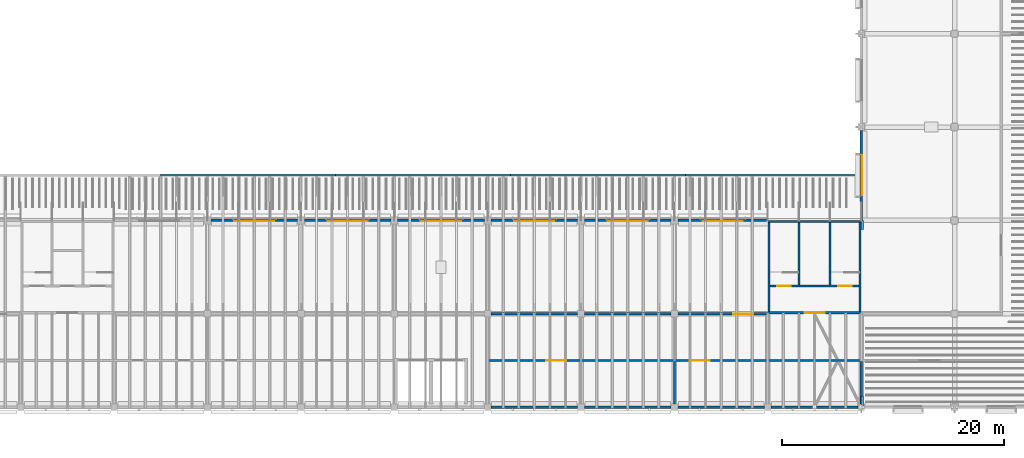
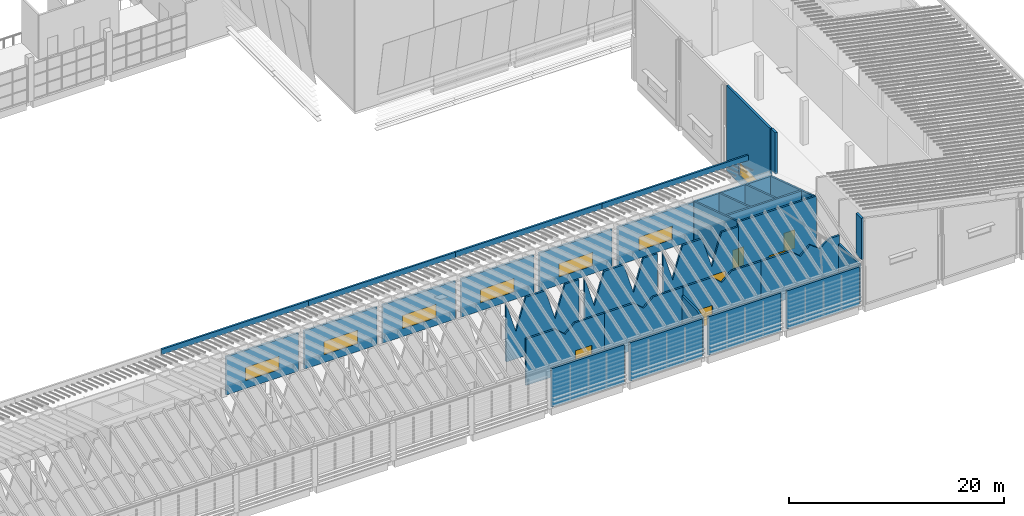
# One storey, part 21 of 59: 33 walls, 7 windows, 6 doors, 13 openings.
"""IFC4 building model written with IfcOpenShell, lengths in metres."""

from ifc_helpers import new_model, si_unit, direction, frame, frame_2d, origin, place, context, subcontext, project, spatial, polyline, rectangle, outline, extrude, material, layer, layer_set, type_object, element, fill, save


model = new_model("IFC4")

# Units and contexts
model_context = context("Model", 3, precision=1e-05, world=origin(), true_north=direction((0.0, 1.0)))
body_context = subcontext(model_context, "Body", "Model", "MODEL_VIEW")
ifc_project = project(units=[si_unit("LENGTHUNIT", "METRE"), si_unit("AREAUNIT", "SQUARE_METRE"), si_unit("VOLUMEUNIT", "CUBIC_METRE"), si_unit("PLANEANGLEUNIT", "RADIAN"), si_unit("MASSUNIT", "GRAM", prefix="KILO")], contexts=[model_context])

# Site, building, storey
site_placement = place(None, origin())
site = spatial("IfcSite", under=ifc_project, at=site_placement, CompositionType="ELEMENT")
building_placement = place(site_placement, origin())
building = spatial("IfcBuilding", under=site, at=building_placement, Name="Almond Square Museum", CompositionType="ELEMENT")
storey_placement = place(building_placement, frame((0.0, 0.0, 25.0)))
storey = spatial("IfcBuildingStorey", under=building, at=storey_placement, Name="L04", CompositionType="ELEMENT", Elevation=25.0)

# Walls
ifc_material_1 = material(Name="Concrete blockwork 200", Category="masonry")
ifc_layer_1 = layer(ifc_material_1, 0.199951171875)
ifc_layer_set_1 = layer_set([ifc_layer_1], Name="Concrete blockwork 200")
wall_type_1 = type_object("IfcWallType", Name="Fire partition 200 blockwork", PredefinedType="PARTITIONING", material=ifc_layer_set_1)
wall_1_placement = place(storey_placement, frame((98.699951171875, 8.39990234375, 0.0), z_axis=(0.0, 0.0, 1.0), x_axis=(1.0, 0.0, 0.0)))
element("IfcWall", 1, at=wall_1_placement, inside=storey, type_object=wall_type_1, Name="L04 partition 49", PredefinedType="PARTITIONING", context=body_context, shape_type="SweptSolid", body=[
    extrude(outline(polyline([(0.0, 0.0), (7.800048828125, 0.0), (7.800048828125, 6.62890625), (6.300048828125, 6.62890625), (5.25, 3.091064453125), (4.199951171875, 6.62890625), (2.10009765625, 6.62890625), (1.050048828125, 3.091064453125), (0.0, 6.62890625), (0.0, 0.0)])), frame((0.0, 0.10009765625, 0.0), z_axis=(0.0, -1.0, 0.0), x_axis=(1.0, 0.0, 0.0)), (0.0, 0.0, 1.0), 0.199951171875),
])
wall_2_placement = place(storey_placement, frame((107.10009765625, 8.39990234375, 0.0), z_axis=(0.0, 0.0, 1.0), x_axis=(1.0, 0.0, 0.0)))
element("IfcWall", 2, at=wall_2_placement, inside=storey, type_object=wall_type_1, Name="L04 partition 50", PredefinedType="PARTITIONING", context=body_context, shape_type="SweptSolid", body=[
    extrude(outline(polyline([(0.0, 0.0), (7.7998046875, 0.0), (7.800048828125, 6.62890625), (6.300048828125, 6.62890625), (5.25, 3.091064453125), (4.199951171875, 6.62890625), (2.10009765625, 6.62890625), (1.050048828125, 3.091064453125), (0.0, 6.62890625), (0.0, 0.0)])), frame((0.0, 0.10009765625, 0.0), z_axis=(0.0, -1.0, 0.0), x_axis=(1.0, 0.0, 0.0)), (0.0, 0.0, 1.0), 0.199951171875),
])

# Wall, opening, door
wall_3_placement = place(storey_placement, frame((115.5, 8.39990234375, 0.0), z_axis=(0.0, 0.0, 1.0), x_axis=(1.0, 0.0, 0.0)))
wall_3 = element("IfcWall", 3, at=wall_3_placement, inside=storey, type_object=wall_type_1, Name="L04 partition 51", PredefinedType="PARTITIONING", context=body_context, shape_type="SweptSolid", body=[
    extrude(outline(polyline([(0.0, 0.0), (8.10009765625, 0.0), (8.10009765625, 6.62890625), (6.300048828125, 6.62890625), (5.25, 3.091064453125), (4.199951171875, 6.62890625), (2.10009765625, 6.62890625), (1.050048828125, 3.091064453125), (0.0, 6.62890625), (0.0, 0.0)])), frame((0.0, 0.10009765625, 0.0), z_axis=(0.0, -1.0, 0.0), x_axis=(1.0, 0.0, 0.0)), (0.0, 0.0, 1.0), 0.199951171875),
])
opening_1_placement = place(wall_3_placement, frame((4.97509765625, 0.0, 0.0)))
opening_1 = element("IfcOpeningElement", 4, at=opening_1_placement, cuts=wall_3, Name="Opening D4110", PredefinedType="OPENING", context=body_context, shape_type="SweptSolid", body=[
    extrude(rectangle(XDim=1.800048828125, YDim=2.10009765625, at=frame_2d((0.89990234375, 1.050048828125))), frame((0.0, 0.10986328125, 0.0), z_axis=(0.0, -1.0, 0.0), x_axis=(1.0, 0.0, 0.0)), (0.0, 0.0, 1.0), 0.219970703125),
])
ifc_material_2 = material(Name="Steel", Category="steel")
door_type_1 = type_object("IfcDoorType", Name="Fire door 1800 x 2100 FD60 double", OperationType="NOTDEFINED", PredefinedType="DOOR", material=ifc_material_2)
door_1_placement = place(opening_1_placement, origin())
door_1 = element("IfcDoor", 5, at=door_1_placement, inside=storey, type_object=door_type_1, Name="L04 door Air Handling Plant 1 to Service Corridor 1", OperationType="DOUBLE_DOOR_SINGLE_SWING", OverallHeight=2.10009765625, OverallWidth=1.800048828125, PredefinedType="DOOR", context=body_context, shape_type="SweptSolid", body=[
    extrude(rectangle(XDim=1.800048828125, YDim=2.10009765625, at=frame_2d((0.89990234375, 1.050048828125))), frame((0.0, 0.02490234375, 0.0), z_axis=(0.0, -1.0, 0.0), x_axis=(1.0, 0.0, 0.0)), (0.0, 0.0, 1.0), 0.050048828125),
])
fill(opening_1, door_1)

wall_4_placement = place(storey_placement, frame((98.39990234375, 4.199951171875, 0.0), z_axis=(0.0, 0.0, 1.0), x_axis=(1.0, 0.0, 0.0)))
wall_4 = element("IfcWall", 6, at=wall_4_placement, inside=storey, type_object=wall_type_1, Name="L04 partition 52", PredefinedType="PARTITIONING", context=body_context, shape_type="SweptSolid", body=[
    extrude(outline(polyline([(0.0, 0.0), (8.400146484375, 0.0), (8.39990234375, 5.264892578125), (5.25, 5.264892578125), (4.199951171875, 4.342041015625), (3.14990234375, 5.264892578125), (0.0, 5.264892578125), (0.0, 0.0)])), frame((0.0, 0.10009765625, 0.0), z_axis=(0.0, -1.0, 0.0), x_axis=(1.0, 0.0, 0.0)), (0.0, 0.0, 1.0), 0.199951171875),
])
opening_2_placement = place(wall_4_placement, frame((5.27490234375, 0.0, 0.0)))
opening_2 = element("IfcOpeningElement", 7, at=opening_2_placement, cuts=wall_4, Name="Opening D4116", PredefinedType="OPENING", context=body_context, shape_type="SweptSolid", body=[
    extrude(rectangle(XDim=1.800048828125, YDim=2.10009765625, at=frame_2d((0.89990234375, 1.050048828125))), frame((0.0, 0.10986328125, 0.0), z_axis=(0.0, -1.0, 0.0), x_axis=(1.0, 0.0, 0.0)), (0.0, 0.0, 1.0), 0.219970703125),
])
door_2_placement = place(opening_2_placement, origin())
door_2 = element("IfcDoor", 8, at=door_2_placement, inside=storey, type_object=door_type_1, Name="L04 door Electrical Room 3 to Service Corridor 1", OperationType="DOUBLE_DOOR_SINGLE_SWING", OverallHeight=2.10009765625, OverallWidth=1.800048828125, PredefinedType="DOOR", context=body_context, shape_type="SweptSolid", body=[
    extrude(rectangle(XDim=1.800048828125, YDim=2.10009765625, at=frame_2d((0.89990234375, 1.050048828125))), frame((0.0, 0.02490234375, 0.0), z_axis=(0.0, -1.0, 0.0), x_axis=(1.0, 0.0, 0.0)), (0.0, 0.0, 1.0), 0.050048828125),
])
fill(opening_2, door_2)

# Wall
wall_5_placement = place(storey_placement, frame((106.800048828125, 4.199951171875, 0.0), z_axis=(0.0, 0.0, 1.0), x_axis=(1.0, 0.0, 0.0)))
element("IfcWall", 9, at=wall_5_placement, inside=storey, type_object=wall_type_1, Name="L04 partition 53", PredefinedType="PARTITIONING", context=body_context, shape_type="SweptSolid", body=[
    extrude(outline(polyline([(0.0, 0.0), (8.39990234375, 0.0), (8.39990234375, 5.264892578125), (5.25, 5.264892578125), (4.199951171875, 4.342041015625), (3.14990234375, 5.264892578125), (0.0, 5.264892578125), (0.0, 0.0)])), frame((0.0, 0.10009765625, 0.0), z_axis=(0.0, -1.0, 0.0), x_axis=(1.0, 0.0, 0.0)), (0.0, 0.0, 1.0), 0.199951171875),
])

# Wall, opening, door
wall_6_placement = place(storey_placement, frame((115.199951171875, 4.199951171875, 0.0), z_axis=(0.0, 0.0, 1.0), x_axis=(1.0, 0.0, 0.0)))
wall_6 = element("IfcWall", 10, at=wall_6_placement, inside=storey, type_object=wall_type_1, Name="L04 partition 54", PredefinedType="PARTITIONING", context=body_context, shape_type="SweptSolid", body=[
    extrude(outline(polyline([(0.0, 0.0), (8.400146484375, 0.0), (8.39990234375, 5.264892578125), (5.25, 5.264892578125), (4.199951171875, 4.342041015625), (3.14990234375, 5.264892578125), (0.0, 5.264892578125), (0.0, 0.0)])), frame((0.0, 0.10009765625, 0.0), z_axis=(0.0, -1.0, 0.0), x_axis=(1.0, 0.0, 0.0)), (0.0, 0.0, 1.0), 0.199951171875),
])
opening_3_placement = place(wall_6_placement, frame((1.375, 0.0, 0.0)))
opening_3 = element("IfcOpeningElement", 11, at=opening_3_placement, cuts=wall_6, Name="Opening D4117", PredefinedType="OPENING", context=body_context, shape_type="SweptSolid", body=[
    extrude(rectangle(XDim=1.800048828125, YDim=2.10009765625, at=frame_2d((0.89990234375, 1.050048828125))), frame((0.0, 0.10986328125, 0.0), z_axis=(0.0, -1.0, 0.0), x_axis=(1.0, 0.0, 0.0)), (0.0, 0.0, 1.0), 0.219970703125),
])
door_3_placement = place(opening_3_placement, origin())
door_3 = element("IfcDoor", 12, at=door_3_placement, inside=storey, type_object=door_type_1, Name="L04 door Plant Room 2 to Service Corridor 1", OperationType="DOUBLE_DOOR_SINGLE_SWING", OverallHeight=2.10009765625, OverallWidth=1.800048828125, PredefinedType="DOOR", context=body_context, shape_type="SweptSolid", body=[
    extrude(rectangle(XDim=1.800048828125, YDim=2.10009765625, at=frame_2d((0.89990234375, 1.050048828125))), frame((0.0, 0.02490234375, 0.0), z_axis=(0.0, -1.0, 0.0), x_axis=(1.0, 0.0, 0.0)), (0.0, 0.0, 1.0), 0.050048828125),
])
fill(opening_3, door_3)

# Walls
wall_7_placement = place(storey_placement, frame((123.60009765625, 4.199951171875, 0.0), z_axis=(0.0, 0.0, 1.0), x_axis=(1.0, 0.0, 0.0)))
element("IfcWall", 13, at=wall_7_placement, inside=storey, type_object=wall_type_1, Name="L04 partition 55", PredefinedType="PARTITIONING", context=body_context, shape_type="SweptSolid", body=[
    extrude(outline(polyline([(0.0, 0.0), (8.39990234375, 0.0), (8.39990234375, 5.264892578125), (7.35009765625, 5.264892578125), (6.300048828125, 4.489013671875), (5.25, 5.264892578125), (4.199951171875, 4.342041015625), (3.14990234375, 5.264892578125), (0.0, 5.264892578125), (0.0, 0.0)])), frame((0.0, 0.10009765625, 0.0), z_axis=(0.0, -1.0, 0.0), x_axis=(1.0, 0.0, 0.0)), (0.0, 0.0, 1.0), 0.199951171875),
])
wall_8_placement = place(storey_placement, frame((115.199951171875, 0.300048828125, 0.0), z_axis=(0.0, 0.0, 1.0), x_axis=(0.0, 1.0, 0.0)))
element("IfcWall", 14, at=wall_8_placement, inside=storey, type_object=wall_type_1, Name="L04 partition 73", PredefinedType="PARTITIONING", context=body_context, shape_type="SweptSolid", body=[
    extrude(outline(polyline([(0.0, 0.0), (3.800048828125, 0.0), (3.800048828125, 4.342041015625), (2.10009765625, 4.342041015625), (1.050048828125, 4.339111328125), (0.0, 4.0458984375), (0.0, 0.0)])), frame((0.0, 0.10009765625, 0.0), z_axis=(0.0, -1.0, 0.0), x_axis=(1.0, 0.0, 0.0)), (0.0, 0.0, 1.0), 0.199951171875),
])
wall_9_placement = place(storey_placement, frame((132.0, 0.300048828125, 0.0), z_axis=(0.0, 0.0, 1.0), x_axis=(0.0, 1.0, 0.0)))
element("IfcWall", 15, at=wall_9_placement, inside=storey, type_object=wall_type_1, Name="L04 partition 74", PredefinedType="PARTITIONING", context=body_context, shape_type="SweptSolid", body=[
    extrude(rectangle(XDim=3.800048828125, YDim=0.199951171875, at=frame_2d((1.89990234375, 0.0))), origin(), (0.0, 0.0, 1.0), 4.342041015625),
])

# Wall, opening, door
ifc_material_3 = material(Name="Concrete C40/50", Category="concrete")
ifc_layer_2 = layer(ifc_material_3, 0.199951171875)
ifc_layer_set_2 = layer_set([ifc_layer_2], Name="Concrete C40/50")
wall_type_2 = type_object("IfcWallType", Name="RC shear wall 200 C40/50", PredefinedType="SHEAR", material=ifc_layer_set_2)
wall_10_placement = place(storey_placement, frame((123.60009765625, 8.5, 0.0), z_axis=(0.0, 0.0, 1.0), x_axis=(1.0, 0.0, 0.0)))
wall_10 = element("IfcWall", 16, at=wall_10_placement, inside=storey, type_object=wall_type_2, Name="Core S3 south wall L04", PredefinedType="SHEAR", context=body_context, shape_type="SweptSolid", body=[
    extrude(rectangle(XDim=8.39990234375, YDim=0.199951171875, at=frame_2d((4.199951171875, 0.0))), origin(), (0.0, 0.0, 1.0), 7.097412109375),
])
opening_4_placement = place(wall_10_placement, frame((3.300048828125, 0.0, 0.0)))
opening_4 = element("IfcOpeningElement", 17, at=opening_4_placement, cuts=wall_10, Name="Opening D4158", PredefinedType="OPENING", context=body_context, shape_type="SweptSolid", body=[
    extrude(rectangle(XDim=1.800048828125, YDim=2.10009765625, at=frame_2d((0.89990234375, 1.050048828125))), frame((0.0, 0.10986328125, 0.0), z_axis=(0.0, -1.0, 0.0), x_axis=(1.0, 0.0, 0.0)), (0.0, 0.0, 1.0), 0.219970703125),
])
door_4_placement = place(opening_4_placement, origin())
door_4 = element("IfcDoor", 18, at=door_4_placement, inside=storey, type_object=door_type_1, Name="L04 stair core S3 lobby door", OperationType="DOUBLE_DOOR_SINGLE_SWING", OverallHeight=2.10009765625, OverallWidth=1.800048828125, PredefinedType="DOOR", context=body_context, shape_type="SweptSolid", body=[
    extrude(rectangle(XDim=1.800048828125, YDim=2.10009765625, at=frame_2d((0.89990234375, 1.050048828125))), frame((0.0, 0.02490234375, 0.0), z_axis=(0.0, -1.0, 0.0), x_axis=(1.0, 0.0, 0.0)), (0.0, 0.0, 1.0), 0.050048828125),
])
fill(opening_4, door_4)

# Walls
wall_11_placement = place(storey_placement, frame((123.60009765625, 16.699951171875, 0.0), z_axis=(0.0, 0.0, 1.0), x_axis=(1.0, 0.0, 0.0)))
element("IfcWall", 19, at=wall_11_placement, inside=storey, type_object=wall_type_2, Name="Core S3 north wall L04", PredefinedType="SHEAR", context=body_context, shape_type="SweptSolid", body=[
    extrude(rectangle(XDim=8.39990234375, YDim=0.199951171875, at=frame_2d((4.199951171875, 0.0))), origin(), (0.0, 0.0, 1.0), 4.4326171875),
])
for number, where, z_axis, x_axis, name in (
    (20, (123.699951171875, 8.60009765625, 0.0), (0.0, 0.0, 1.0), (0.0, 1.0, 0.0), "Core S3 west wall L04"),
    (21, (131.89990234375, 8.60009765625, 0.0), (0.0, 0.0, 1.0), (0.0, 1.0, 0.0), "Core S3 east wall L04"),
):
    element("IfcWall", number, at=place(storey_placement, frame(where, z_axis=z_axis, x_axis=x_axis)), inside=storey, type_object=wall_type_2, Name=name, PredefinedType="SHEAR", context=body_context, shape_type="SweptSolid", body=[
        extrude(outline(polyline([(0.0, 0.0), (8.0, 0.0), (8.0, 4.465087890625), (7.70361328125, 4.56103515625), (7.407470703125, 4.657958984375), (6.5185546875, 4.946044921875), (6.22216796875, 5.04296875), (5.333251953125, 5.3310546875), (5.037109375, 5.427978515625), (4.4443359375, 5.6201171875), (4.148193359375, 5.717041015625), (3.25927734375, 6.0048828125), (2.962890625, 6.10205078125), (2.07421875, 6.389892578125), (1.77783203125, 6.487060546875), (1.185302734375, 6.678955078125), (0.888916015625, 6.77587890625), (0.0, 7.06396484375), (0.0, 0.0)])), frame((0.0, 0.10009765625, 0.0), z_axis=(0.0, -1.0, 0.0), x_axis=(1.0, 0.0, 0.0)), (0.0, 0.0, 1.0), 0.199951171875),
    ])

# Wall, openings, doors
wall_12_placement = place(storey_placement, frame((123.800048828125, 10.89990234375, 0.0), z_axis=(0.0, 0.0, 1.0), x_axis=(1.0, 0.0, 0.0)))
wall_12 = element("IfcWall", 22, at=wall_12_placement, inside=storey, type_object=wall_type_2, Name="Core S3 lobby wall L04", PredefinedType="SHEAR", context=body_context, shape_type="SweptSolid", body=[
    extrude(rectangle(XDim=8.0, YDim=0.199951171875, at=frame_2d((4.0, 0.0))), origin(), (0.0, 0.0, 1.0), 6.3173828125),
])
opening_5_placement = place(wall_12_placement, frame((0.64990234375, 0.0, 0.0)))
opening_5 = element("IfcOpeningElement", 23, at=opening_5_placement, cuts=wall_12, Name="Opening D4159", PredefinedType="OPENING", context=body_context, shape_type="SweptSolid", body=[
    extrude(rectangle(XDim=1.199951171875, YDim=2.10009765625, at=frame_2d((0.60009765625, 1.050048828125))), frame((0.0, 0.10986328125, 0.0), z_axis=(0.0, -1.0, 0.0), x_axis=(1.0, 0.0, 0.0)), (0.0, 0.0, 1.0), 0.219970703125),
])
opening_6_placement = place(wall_12_placement, frame((6.14990234375, 0.0, 0.0)))
opening_6 = element("IfcOpeningElement", 24, at=opening_6_placement, cuts=wall_12, Name="Opening D4160", PredefinedType="OPENING", context=body_context, shape_type="SweptSolid", body=[
    extrude(rectangle(XDim=1.199951171875, YDim=2.10009765625, at=frame_2d((0.60009765625, 1.050048828125))), frame((0.0, 0.10986328125, 0.0), z_axis=(0.0, -1.0, 0.0), x_axis=(1.0, 0.0, 0.0)), (0.0, 0.0, 1.0), 0.219970703125),
])
ifc_material_4 = material(Name="Steel", Category="steel")
door_type_2 = type_object("IfcDoorType", Name="Fire door 1200 x 2100 FD120 stair", OperationType="NOTDEFINED", PredefinedType="DOOR", material=ifc_material_4)
door_5_placement = place(opening_5_placement, origin())
door_5 = element("IfcDoor", 25, at=door_5_placement, inside=storey, type_object=door_type_2, Name="L04 stair S3-1 door", OperationType="SINGLE_SWING_LEFT", OverallHeight=2.10009765625, OverallWidth=1.199951171875, PredefinedType="DOOR", context=body_context, shape_type="SweptSolid", body=[
    extrude(rectangle(XDim=1.199951171875, YDim=2.10009765625, at=frame_2d((0.60009765625, 1.050048828125))), frame((0.0, 0.02490234375, 0.0), z_axis=(0.0, -1.0, 0.0), x_axis=(1.0, 0.0, 0.0)), (0.0, 0.0, 1.0), 0.050048828125),
])
fill(opening_5, door_5)
door_6_placement = place(opening_6_placement, origin())
door_6 = element("IfcDoor", 26, at=door_6_placement, inside=storey, type_object=door_type_2, Name="L04 stair S3-2 door", OperationType="SINGLE_SWING_RIGHT", OverallHeight=2.10009765625, OverallWidth=1.199951171875, PredefinedType="DOOR", context=body_context, shape_type="SweptSolid", body=[
    extrude(rectangle(XDim=1.199951171875, YDim=2.10009765625, at=frame_2d((0.60009765625, 1.050048828125))), frame((0.0, 0.02490234375, 0.0), z_axis=(0.0, -1.0, 0.0), x_axis=(1.0, 0.0, 0.0)), (0.0, 0.0, 1.0), 0.050048828125),
])
fill(opening_6, door_6)

# Walls
for number, where, z_axis, x_axis, name in (
    (27, (126.39990234375, 11.0, 0.0), (0.0, 0.0, 1.0), (0.0, 1.0, 0.0), "Core S3 partition wall L04"),
    (28, (129.199951171875, 11.0, 0.0), (0.0, 0.0, 1.0), (0.0, 1.0, 0.0), "Core S3 partition wall L04"),
):
    element("IfcWall", number, at=place(storey_placement, frame(where, z_axis=z_axis, x_axis=x_axis)), inside=storey, type_object=wall_type_2, Name=name, PredefinedType="SHEAR", context=body_context, shape_type="SweptSolid", body=[
        extrude(outline(polyline([(0.0, 0.0), (5.60009765625, 0.0), (5.60009765625, 4.465087890625), (5.010498046875, 4.656982421875), (4.7158203125, 4.751953125), (3.83154296875, 5.0400390625), (3.536865234375, 5.135009765625), (2.652587890625, 5.423095703125), (2.35791015625, 5.51806640625), (1.4736328125, 5.805908203125), (1.178955078125, 5.90087890625), (0.0, 6.284912109375), (0.0, 0.0)])), frame((0.0, 0.10009765625, 0.0), z_axis=(0.0, -1.0, 0.0), x_axis=(1.0, 0.0, 0.0)), (0.0, 0.0, 1.0), 0.199951171875),
    ])
ifc_material_5 = material(Name="Concrete C30/37", Category="concrete")
ifc_layer_3 = layer(ifc_material_5, 0.199951171875)
ifc_layer_set_3 = layer_set([ifc_layer_3], Name="Concrete C30/37")
wall_type_3 = type_object("IfcWallType", Name="Roof parapet 200", PredefinedType="PARAPET", material=ifc_layer_set_3)
for number, where, z_axis, x_axis, name in (
    (29, (68.97509765625, 20.89990234375, 3.662841796875), (0.0, 0.0, 1.0), (1.0, 0.0, 0.0), "Roof parapet 6"),
    (30, (84.71875, 20.89990234375, 3.662841796875), (0.0, 0.0, 1.0), (1.0, 0.0, 0.0), "Roof parapet 7"),
):
    element("IfcWall", number, at=place(storey_placement, frame(where, z_axis=z_axis, x_axis=x_axis)), inside=storey, type_object=wall_type_3, Name=name, PredefinedType="PARAPET", context=body_context, shape_type="SweptSolid", body=[
        extrude(rectangle(XDim=15.74365234375, YDim=0.199951171875, at=frame_2d((7.871826171875, 0.0))), origin(), (0.0, 0.0, 1.0), 0.60498046875),
    ])
wall_13_placement = place(storey_placement, frame((100.46240234375, 20.89990234375, 3.662841796875), z_axis=(0.0, 0.0, 1.0), x_axis=(1.0, 0.0, 0.0)))
element("IfcWall", 31, at=wall_13_placement, inside=storey, type_object=wall_type_3, Name="Roof parapet 8", PredefinedType="PARAPET", context=body_context, shape_type="SweptSolid", body=[
    extrude(rectangle(XDim=15.743896484375, YDim=0.199951171875, at=frame_2d((7.8720703125, 0.0))), origin(), (0.0, 0.0, 1.0), 0.60498046875),
])
wall_14_placement = place(storey_placement, frame((116.206298828125, 20.89990234375, 3.662841796875), z_axis=(0.0, 0.0, 1.0), x_axis=(1.0, 0.0, 0.0)))
element("IfcWall", 32, at=wall_14_placement, inside=storey, type_object=wall_type_3, Name="Roof parapet 9", PredefinedType="PARAPET", context=body_context, shape_type="SweptSolid", body=[
    extrude(rectangle(XDim=15.74365234375, YDim=0.199951171875, at=frame_2d((7.871826171875, 0.0))), origin(), (0.0, 0.0, 1.0), 0.60498046875),
])
ifc_material_6 = material(Name="Concrete C30/37", Category="concrete")
ifc_layer_4 = layer(ifc_material_6, 0.219970703125)
ifc_layer_set_4 = layer_set([ifc_layer_4], Name="Concrete C30/37")
wall_type_4 = type_object("IfcWallType", Name="Stucco panel wall 220 with insulation", PredefinedType="SOLIDWALL", material=ifc_layer_set_4)
wall_15_placement = place(storey_placement, frame((98.699951171875, 0.0, 0.0), z_axis=(0.0, 0.0, 1.0), x_axis=(1.0, 0.0, 0.0)))
element("IfcWall", 33, at=wall_15_placement, inside=storey, type_object=wall_type_4, Name="External wall W4 V5S L04 S11", PredefinedType="SOLIDWALL", context=body_context, shape_type="SweptSolid", body=[
    extrude(rectangle(XDim=7.800048828125, YDim=0.219970703125, at=frame_2d((3.89990234375, 0.0))), origin(), (0.0, 0.0, 1.0), 4.33447265625),
])
wall_16_placement = place(storey_placement, frame((107.10009765625, 0.0, 0.0), z_axis=(0.0, 0.0, 1.0), x_axis=(1.0, 0.0, 0.0)))
element("IfcWall", 34, at=wall_16_placement, inside=storey, type_object=wall_type_4, Name="External wall W4 V5S L04 S12", PredefinedType="SOLIDWALL", context=body_context, shape_type="SweptSolid", body=[
    extrude(rectangle(XDim=7.7998046875, YDim=0.219970703125, at=frame_2d((3.89990234375, 0.0))), origin(), (0.0, 0.0, 1.0), 4.33447265625),
])
for number, where, z_axis, x_axis, name in (
    (35, (115.5, 0.0, 0.0), (0.0, 0.0, 1.0), (1.0, 0.0, 0.0), "External wall W4 V5S L04 S13"),
    (36, (123.89990234375, 0.0, 0.0), (0.0, 0.0, 1.0), (1.0, 0.0, 0.0), "External wall W4 V5S L04 S14"),
):
    element("IfcWall", number, at=place(storey_placement, frame(where, z_axis=z_axis, x_axis=x_axis)), inside=storey, type_object=wall_type_4, Name=name, PredefinedType="SOLIDWALL", context=body_context, shape_type="SweptSolid", body=[
        extrude(rectangle(XDim=7.800048828125, YDim=0.219970703125, at=frame_2d((3.89990234375, 0.0))), origin(), (0.0, 0.0, 1.0), 4.33447265625),
    ])

# Wall, opening, window
wall_17_placement = place(storey_placement, frame((132.0, 16.800048828125, 0.0), z_axis=(0.0, 0.0, 1.0), x_axis=(0.0, 1.0, 0.0)))
wall_17 = element("IfcWall", 37, at=wall_17_placement, inside=storey, type_object=wall_type_4, Name="External wall W4 V5E L04 W03", PredefinedType="SOLIDWALL", context=body_context, shape_type="SweptSolid", body=[
    extrude(rectangle(XDim=8.099853515625, YDim=0.219970703125, at=frame_2d((4.0498046875, 0.0))), origin(), (0.0, 0.0, 1.0), 9.709228515625),
])
opening_7_placement = place(wall_17_placement, frame((2.25, 0.0, 0.89990234375)))
opening_7 = element("IfcOpeningElement", 38, at=opening_7_placement, cuts=wall_17, Name="Opening W4007", PredefinedType="OPENING", context=body_context, shape_type="SweptSolid", body=[
    extrude(rectangle(XDim=3.60009765625, YDim=1.5, at=frame_2d((1.800048828125, 0.75))), frame((0.0, 0.119873046875, 0.0), z_axis=(0.0, -1.0, 0.0), x_axis=(1.0, 0.0, 0.0)), (0.0, 0.0, 1.0), 0.239990234375),
])
ifc_material_7 = material(Name="Aluminium frame and laminated glass", Category="aluminium")
window_type = type_object("IfcWindowType", Name="Office ribbon window", PartitioningType="SINGLE_PANEL", PredefinedType="WINDOW", material=ifc_material_7)
window_1_placement = place(opening_7_placement, origin())
window_1 = element("IfcWindow", 39, at=window_1_placement, inside=storey, type_object=window_type, Name="Office ribbon window W4007", OverallHeight=1.5, OverallWidth=3.60009765625, PartitioningType="DOUBLE_PANEL_VERTICAL", PredefinedType="WINDOW", context=body_context, shape_type="SweptSolid", body=[
    extrude(rectangle(XDim=3.60009765625, YDim=1.5, at=frame_2d((1.800048828125, 0.75))), frame((0.0, -0.030029296875, 0.0), z_axis=(0.0, -1.0, 0.0), x_axis=(1.0, 0.0, 0.0)), (0.0, 0.0, 1.0), 0.06005859375),
])
fill(opening_7, window_1)

wall_18_placement = place(storey_placement, frame((115.5, 16.800048828125, 0.0), z_axis=(0.0, 0.0, 1.0), x_axis=(1.0, 0.0, 0.0)))
wall_18 = element("IfcWall", 40, at=wall_18_placement, inside=storey, type_object=wall_type_4, Name="External wall W4 V5S L04 N01", PredefinedType="SOLIDWALL", context=body_context, shape_type="SweptSolid", body=[
    extrude(rectangle(XDim=8.10009765625, YDim=0.219970703125, at=frame_2d((4.050048828125, 0.0))), origin(), (0.0, 0.0, 1.0), 4.33447265625),
])
opening_8_placement = place(wall_18_placement, frame((2.25, 0.0, 0.89990234375)))
opening_8 = element("IfcOpeningElement", 41, at=opening_8_placement, cuts=wall_18, Name="Opening W4008", PredefinedType="OPENING", context=body_context, shape_type="SweptSolid", body=[
    extrude(rectangle(XDim=3.60009765625, YDim=1.5, at=frame_2d((1.800048828125, 0.75))), frame((0.0, 0.119873046875, 0.0), z_axis=(0.0, -1.0, 0.0), x_axis=(1.0, 0.0, 0.0)), (0.0, 0.0, 1.0), 0.239990234375),
])
window_2_placement = place(opening_8_placement, origin())
window_2 = element("IfcWindow", 42, at=window_2_placement, inside=storey, type_object=window_type, Name="Office ribbon window W4008", OverallHeight=1.5, OverallWidth=3.60009765625, PartitioningType="DOUBLE_PANEL_VERTICAL", PredefinedType="WINDOW", context=body_context, shape_type="SweptSolid", body=[
    extrude(rectangle(XDim=3.60009765625, YDim=1.5, at=frame_2d((1.800048828125, 0.75))), frame((0.0, -0.030029296875, 0.0), z_axis=(0.0, -1.0, 0.0), x_axis=(1.0, 0.0, 0.0)), (0.0, 0.0, 1.0), 0.06005859375),
])
fill(opening_8, window_2)

wall_19_placement = place(storey_placement, frame((107.10009765625, 16.800048828125, 0.0), z_axis=(0.0, 0.0, 1.0), x_axis=(1.0, 0.0, 0.0)))
wall_19 = element("IfcWall", 43, at=wall_19_placement, inside=storey, type_object=wall_type_4, Name="External wall W4 V5S L04 N02", PredefinedType="SOLIDWALL", context=body_context, shape_type="SweptSolid", body=[
    extrude(rectangle(XDim=7.7998046875, YDim=0.219970703125, at=frame_2d((3.89990234375, 0.0))), origin(), (0.0, 0.0, 1.0), 4.33447265625),
])
opening_9_placement = place(wall_19_placement, frame((2.10009765625, 0.0, 0.89990234375)))
opening_9 = element("IfcOpeningElement", 44, at=opening_9_placement, cuts=wall_19, Name="Opening W4009", PredefinedType="OPENING", context=body_context, shape_type="SweptSolid", body=[
    extrude(rectangle(XDim=3.60009765625, YDim=1.5, at=frame_2d((1.800048828125, 0.75))), frame((0.0, 0.119873046875, 0.0), z_axis=(0.0, -1.0, 0.0), x_axis=(1.0, 0.0, 0.0)), (0.0, 0.0, 1.0), 0.239990234375),
])
window_3_placement = place(opening_9_placement, origin())
window_3 = element("IfcWindow", 45, at=window_3_placement, inside=storey, type_object=window_type, Name="Office ribbon window W4009", OverallHeight=1.5, OverallWidth=3.60009765625, PartitioningType="DOUBLE_PANEL_VERTICAL", PredefinedType="WINDOW", context=body_context, shape_type="SweptSolid", body=[
    extrude(rectangle(XDim=3.60009765625, YDim=1.5, at=frame_2d((1.800048828125, 0.75))), frame((0.0, -0.030029296875, 0.0), z_axis=(0.0, -1.0, 0.0), x_axis=(1.0, 0.0, 0.0)), (0.0, 0.0, 1.0), 0.06005859375),
])
fill(opening_9, window_3)

wall_20_placement = place(storey_placement, frame((98.699951171875, 16.800048828125, 0.0), z_axis=(0.0, 0.0, 1.0), x_axis=(1.0, 0.0, 0.0)))
wall_20 = element("IfcWall", 46, at=wall_20_placement, inside=storey, type_object=wall_type_4, Name="External wall W4 V5S L04 N03", PredefinedType="SOLIDWALL", context=body_context, shape_type="SweptSolid", body=[
    extrude(rectangle(XDim=7.800048828125, YDim=0.219970703125, at=frame_2d((3.89990234375, 0.0))), origin(), (0.0, 0.0, 1.0), 4.33447265625),
])
opening_10_placement = place(wall_20_placement, frame((2.10009765625, 0.0, 0.89990234375)))
opening_10 = element("IfcOpeningElement", 47, at=opening_10_placement, cuts=wall_20, Name="Opening W4010", PredefinedType="OPENING", context=body_context, shape_type="SweptSolid", body=[
    extrude(rectangle(XDim=3.60009765625, YDim=1.5, at=frame_2d((1.800048828125, 0.75))), frame((0.0, 0.119873046875, 0.0), z_axis=(0.0, -1.0, 0.0), x_axis=(1.0, 0.0, 0.0)), (0.0, 0.0, 1.0), 0.239990234375),
])
window_4_placement = place(opening_10_placement, origin())
window_4 = element("IfcWindow", 48, at=window_4_placement, inside=storey, type_object=window_type, Name="Office ribbon window W4010", OverallHeight=1.5, OverallWidth=3.60009765625, PartitioningType="DOUBLE_PANEL_VERTICAL", PredefinedType="WINDOW", context=body_context, shape_type="SweptSolid", body=[
    extrude(rectangle(XDim=3.60009765625, YDim=1.5, at=frame_2d((1.800048828125, 0.75))), frame((0.0, -0.030029296875, 0.0), z_axis=(0.0, -1.0, 0.0), x_axis=(1.0, 0.0, 0.0)), (0.0, 0.0, 1.0), 0.06005859375),
])
fill(opening_10, window_4)

wall_21_placement = place(storey_placement, frame((90.300048828125, 16.800048828125, 0.0), z_axis=(0.0, 0.0, 1.0), x_axis=(1.0, 0.0, 0.0)))
wall_21 = element("IfcWall", 49, at=wall_21_placement, inside=storey, type_object=wall_type_4, Name="External wall W4 V5S L04 N04", PredefinedType="SOLIDWALL", context=body_context, shape_type="SweptSolid", body=[
    extrude(rectangle(XDim=7.800048828125, YDim=0.219970703125, at=frame_2d((3.89990234375, 0.0))), origin(), (0.0, 0.0, 1.0), 4.33447265625),
])
opening_11_placement = place(wall_21_placement, frame((2.10009765625, 0.0, 0.89990234375)))
opening_11 = element("IfcOpeningElement", 50, at=opening_11_placement, cuts=wall_21, Name="Opening W4011", PredefinedType="OPENING", context=body_context, shape_type="SweptSolid", body=[
    extrude(rectangle(XDim=3.60009765625, YDim=1.5, at=frame_2d((1.800048828125, 0.75))), frame((0.0, 0.119873046875, 0.0), z_axis=(0.0, -1.0, 0.0), x_axis=(1.0, 0.0, 0.0)), (0.0, 0.0, 1.0), 0.239990234375),
])
window_5_placement = place(opening_11_placement, origin())
window_5 = element("IfcWindow", 51, at=window_5_placement, inside=storey, type_object=window_type, Name="Office ribbon window W4011", OverallHeight=1.5, OverallWidth=3.60009765625, PartitioningType="DOUBLE_PANEL_VERTICAL", PredefinedType="WINDOW", context=body_context, shape_type="SweptSolid", body=[
    extrude(rectangle(XDim=3.60009765625, YDim=1.5, at=frame_2d((1.800048828125, 0.75))), frame((0.0, -0.030029296875, 0.0), z_axis=(0.0, -1.0, 0.0), x_axis=(1.0, 0.0, 0.0)), (0.0, 0.0, 1.0), 0.06005859375),
])
fill(opening_11, window_5)

wall_22_placement = place(storey_placement, frame((81.89990234375, 16.800048828125, 0.0), z_axis=(0.0, 0.0, 1.0), x_axis=(1.0, 0.0, 0.0)))
wall_22 = element("IfcWall", 52, at=wall_22_placement, inside=storey, type_object=wall_type_4, Name="External wall W4 V5S L04 N05", PredefinedType="SOLIDWALL", context=body_context, shape_type="SweptSolid", body=[
    extrude(rectangle(XDim=7.800048828125, YDim=0.219970703125, at=frame_2d((3.89990234375, 0.0))), origin(), (0.0, 0.0, 1.0), 4.33447265625),
])
opening_12_placement = place(wall_22_placement, frame((2.10009765625, 0.0, 0.89990234375)))
opening_12 = element("IfcOpeningElement", 53, at=opening_12_placement, cuts=wall_22, Name="Opening W4012", PredefinedType="OPENING", context=body_context, shape_type="SweptSolid", body=[
    extrude(rectangle(XDim=3.60009765625, YDim=1.5, at=frame_2d((1.800048828125, 0.75))), frame((0.0, 0.119873046875, 0.0), z_axis=(0.0, -1.0, 0.0), x_axis=(1.0, 0.0, 0.0)), (0.0, 0.0, 1.0), 0.239990234375),
])
window_6_placement = place(opening_12_placement, origin())
window_6 = element("IfcWindow", 54, at=window_6_placement, inside=storey, type_object=window_type, Name="Office ribbon window W4012", OverallHeight=1.5, OverallWidth=3.60009765625, PartitioningType="DOUBLE_PANEL_VERTICAL", PredefinedType="WINDOW", context=body_context, shape_type="SweptSolid", body=[
    extrude(rectangle(XDim=3.60009765625, YDim=1.5, at=frame_2d((1.800048828125, 0.75))), frame((0.0, -0.030029296875, 0.0), z_axis=(0.0, -1.0, 0.0), x_axis=(1.0, 0.0, 0.0)), (0.0, 0.0, 1.0), 0.06005859375),
])
fill(opening_12, window_6)

wall_23_placement = place(storey_placement, frame((73.5, 16.800048828125, 0.0), z_axis=(0.0, 0.0, 1.0), x_axis=(1.0, 0.0, 0.0)))
wall_23 = element("IfcWall", 55, at=wall_23_placement, inside=storey, type_object=wall_type_4, Name="External wall W4 V5S L04 N06", PredefinedType="SOLIDWALL", context=body_context, shape_type="SweptSolid", body=[
    extrude(rectangle(XDim=7.800048828125, YDim=0.219970703125, at=frame_2d((3.89990234375, 0.0))), origin(), (0.0, 0.0, 1.0), 4.33447265625),
])
opening_13_placement = place(wall_23_placement, frame((2.10009765625, 0.0, 0.89990234375)))
opening_13 = element("IfcOpeningElement", 56, at=opening_13_placement, cuts=wall_23, Name="Opening W4013", PredefinedType="OPENING", context=body_context, shape_type="SweptSolid", body=[
    extrude(rectangle(XDim=3.60009765625, YDim=1.5, at=frame_2d((1.800048828125, 0.75))), frame((0.0, 0.119873046875, 0.0), z_axis=(0.0, -1.0, 0.0), x_axis=(1.0, 0.0, 0.0)), (0.0, 0.0, 1.0), 0.239990234375),
])
window_7_placement = place(opening_13_placement, origin())
window_7 = element("IfcWindow", 57, at=window_7_placement, inside=storey, type_object=window_type, Name="Office ribbon window W4013", OverallHeight=1.5, OverallWidth=3.60009765625, PartitioningType="DOUBLE_PANEL_VERTICAL", PredefinedType="WINDOW", context=body_context, shape_type="SweptSolid", body=[
    extrude(rectangle(XDim=3.60009765625, YDim=1.5, at=frame_2d((1.800048828125, 0.75))), frame((0.0, -0.030029296875, 0.0), z_axis=(0.0, -1.0, 0.0), x_axis=(1.0, 0.0, 0.0)), (0.0, 0.0, 1.0), 0.06005859375),
])
fill(opening_13, window_7)

# Walls
wall_24_placement = place(storey_placement, frame((132.090087890625, 0.0, 4.989990234375), z_axis=(0.0, 0.0, 1.0), x_axis=(0.0, 1.0, 0.0)))
element("IfcWall", 58, at=wall_24_placement, inside=storey, type_object=wall_type_4, Name="Roof step wall 1", PredefinedType="SOLIDWALL", context=body_context, shape_type="SweptSolid", body=[
    extrude(rectangle(XDim=1.0, YDim=0.219970703125, at=frame_2d((0.5, 0.0))), origin(), (0.0, 0.0, 1.0), 4.685302734375),
])
wall_25_placement = place(storey_placement, frame((132.090087890625, 16.0, 4.989990234375), z_axis=(0.0, 0.0, 1.0), x_axis=(0.0, 1.0, 0.0)))
element("IfcWall", 59, at=wall_25_placement, inside=storey, type_object=wall_type_4, Name="Roof step wall 17", PredefinedType="SOLIDWALL", context=body_context, shape_type="SweptSolid", body=[
    extrude(rectangle(XDim=0.800048828125, YDim=0.219970703125, at=frame_2d((0.39990234375, 0.0))), origin(), (0.0, 0.0, 1.0), 4.685302734375),
])

save(model, "model.ifc")
